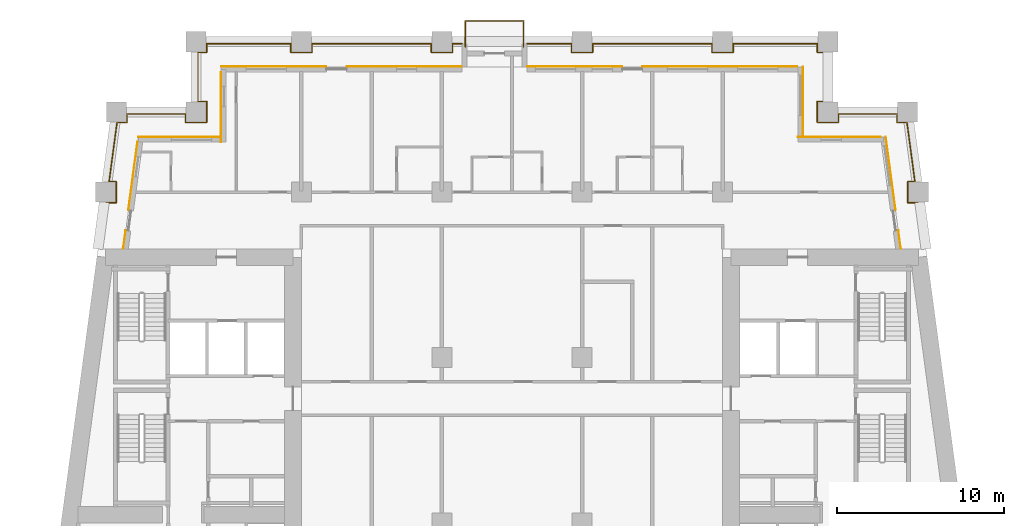
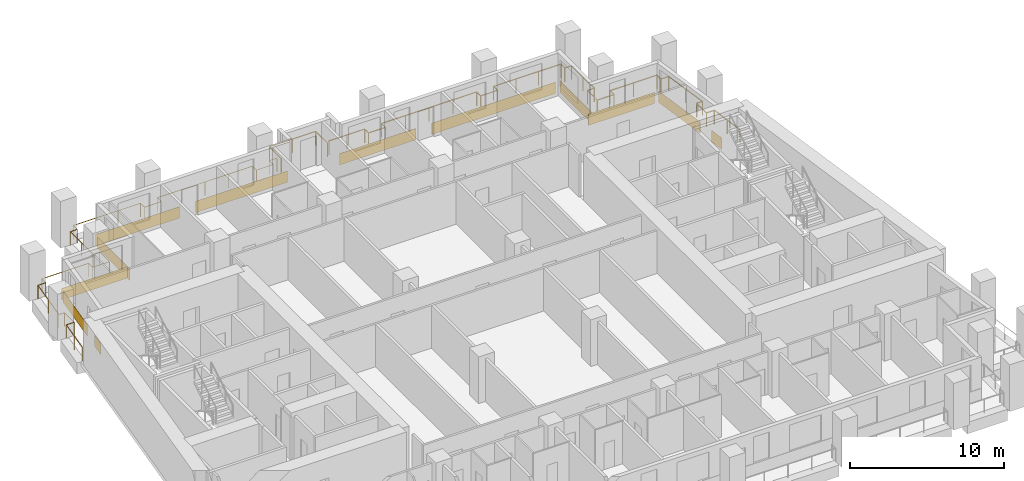
# One storey, part 13 of 14: 12 coverings, 3 railings.
"""IFC4 building model written with IfcOpenShell, lengths in metres."""

from ifc_helpers import new_model, si_unit, direction, frame, origin, origin_2d, place, context, subcontext, project, spatial, rectangle, circle, extrude, material, layer, layer_set, type_object, element, save


model = new_model("IFC4")

# Units and contexts
model_context = context("Model", 3, precision=1e-05, world=origin(), true_north=direction((0.0, 1.0)))
body_context = subcontext(model_context, "Body", "Model", "MODEL_VIEW")
ifc_project = project(units=[si_unit("LENGTHUNIT", "METRE"), si_unit("AREAUNIT", "SQUARE_METRE"), si_unit("VOLUMEUNIT", "CUBIC_METRE"), si_unit("PLANEANGLEUNIT", "RADIAN"), si_unit("MASSUNIT", "GRAM", prefix="KILO")], contexts=[model_context])

# Site, building, storey
site_placement = place(None, origin())
site = spatial("IfcSite", under=ifc_project, at=site_placement, CompositionType="ELEMENT")
building_placement = place(site_placement, origin())
building = spatial("IfcBuilding", under=site, at=building_placement, Name="Candeia Pilgrim Tower and Theatre", CompositionType="ELEMENT")
storey_placement = place(building_placement, frame((0.0, 0.0, 120.60009765625)))
storey = spatial("IfcBuildingStorey", under=building, at=storey_placement, Name="L28", CompositionType="ELEMENT", Elevation=120.60009765625)

# Railings
ifc_material_1 = material(Name="Stainless steel balustrade", Category="steel")
railing_type = type_object("IfcRailingType", Name="G1 loggia guard 1100", PredefinedType="GUARDRAIL", material=ifc_material_1)
railing_1_placement = place(storey_placement, frame((88.758544921875, 132.449951171875, 0.0)))
element("IfcRailing", 1, at=railing_1_placement, inside=storey, type_object=railing_type, Name="Guard L28.2", PredefinedType="GUARDRAIL", context=body_context, shape_type="SweptSolid", body=[
    extrude(circle(Radius=0.02392578125, at=origin_2d()), frame((0.0, 0.0, 1.076171875), z_axis=(0.133433855259, 0.991057720958, 0.0), x_axis=(-0.991057720958, 0.133433855259, 0.0)), (0.0, 0.0, 1.0), 2.74462890625),
    extrude(circle(Radius=0.02392578125, at=origin_2d()), frame((0.3662109375, 2.719970703125, 1.076171875), z_axis=(1.0, 0.0, 0.0), x_axis=(0.0, 1.0, 0.0)), (0.0, 0.0, 1.0), 0.59375),
    extrude(circle(Radius=0.02392578125, at=origin_2d()), frame((0.9599609375, 2.719970703125, 1.076171875), z_axis=(0.0, 1.0, 0.0), x_axis=(-1.0, 0.0, 0.0)), (0.0, 0.0, 1.0), 1.260009765625),
    extrude(circle(Radius=0.02392578125, at=origin_2d()), frame((0.9599609375, 3.97998046875, 1.076171875), z_axis=(-1.0, 0.0, 0.0), x_axis=(0.0, -1.0, 0.0)), (0.0, 0.0, 1.0), 0.424072265625),
    extrude(circle(Radius=0.02392578125, at=origin_2d()), frame((0.535888671875, 3.97998046875, 1.076171875), z_axis=(0.133417176173, 0.991059966451, 0.0), x_axis=(-0.991059966451, 0.133417176173, 0.0)), (0.0, 0.0, 1.0), 3.572021484375),
    extrude(circle(Radius=0.02392578125, at=origin_2d()), frame((1.012451171875, 7.52001953125, 1.076171875), z_axis=(1.0, 0.0, 0.0), x_axis=(0.0, 1.0, 0.0)), (0.0, 0.0, 1.0), 0.593505859375),
    extrude(circle(Radius=0.02392578125, at=origin_2d()), frame((1.60595703125, 7.52001953125, 1.076171875), z_axis=(0.0, 1.0, 0.0), x_axis=(-1.0, 0.0, 0.0)), (0.0, 0.0, 1.0), 0.510009765625),
    extrude(circle(Radius=0.02392578125, at=origin_2d()), frame((1.60595703125, 8.030029296875, 1.076171875), z_axis=(1.0, 0.0, 0.0), x_axis=(0.0, 1.0, 0.0)), (0.0, 0.0, 1.0), 3.505615234375),
    extrude(circle(Radius=0.02392578125, at=origin_2d()), frame((5.111572265625, 8.030029296875, 1.076171875), z_axis=(0.0, -1.0, 0.0), x_axis=(1.0, 0.0, 0.0)), (0.0, 0.0, 1.0), 0.510009765625),
    extrude(circle(Radius=0.02392578125, at=origin_2d()), frame((5.111572265625, 7.52001953125, 1.076171875), z_axis=(1.0, 0.0, 0.0), x_axis=(0.0, 1.0, 0.0)), (0.0, 0.0, 1.0), 1.259765625),
    extrude(circle(Radius=0.02392578125, at=origin_2d()), frame((6.371337890625, 7.52001953125, 1.076171875), z_axis=(0.0, 1.0, 0.0), x_axis=(-1.0, 0.0, 0.0)), (0.0, 0.0, 1.0), 1.260009765625),
    extrude(circle(Radius=0.02392578125, at=origin_2d()), frame((6.371337890625, 8.780029296875, 1.076171875), z_axis=(-1.0, 0.0, 0.0), x_axis=(0.0, -1.0, 0.0)), (0.0, 0.0, 1.0), 0.509765625),
    extrude(circle(Radius=0.02392578125, at=origin_2d()), frame((5.861572265625, 8.780029296875, 1.076171875), z_axis=(0.0, 1.0, 0.0), x_axis=(-1.0, 0.0, 0.0)), (0.0, 0.0, 1.0), 2.93994140625),
    extrude(circle(Radius=0.02392578125, at=origin_2d()), frame((5.861572265625, 11.719970703125, 1.076171875), z_axis=(1.0, 0.0, 0.0), x_axis=(0.0, 1.0, 0.0)), (0.0, 0.0, 1.0), 0.509765625),
    extrude(circle(Radius=0.02392578125, at=origin_2d()), frame((6.371337890625, 11.719970703125, 1.076171875), z_axis=(0.0, 1.0, 0.0), x_axis=(-1.0, 0.0, 0.0)), (0.0, 0.0, 1.0), 0.510009765625),
    extrude(circle(Radius=0.02392578125, at=origin_2d()), frame((6.371337890625, 12.22998046875, 1.076171875), z_axis=(1.0, 0.0, 0.0), x_axis=(0.0, 1.0, 0.0)), (0.0, 0.0, 1.0), 5.0400390625),
    extrude(circle(Radius=0.02392578125, at=origin_2d()), frame((11.411376953125, 12.22998046875, 1.076171875), z_axis=(0.0, -1.0, 0.0), x_axis=(1.0, 0.0, 0.0)), (0.0, 0.0, 1.0), 0.510009765625),
    extrude(circle(Radius=0.02392578125, at=origin_2d()), frame((11.411376953125, 11.719970703125, 1.076171875), z_axis=(1.0, 0.0, 0.0), x_axis=(0.0, 1.0, 0.0)), (0.0, 0.0, 1.0), 1.260009765625),
    extrude(circle(Radius=0.02392578125, at=origin_2d()), frame((12.67138671875, 11.719970703125, 1.076171875), z_axis=(0.0, 1.0, 0.0), x_axis=(-1.0, 0.0, 0.0)), (0.0, 0.0, 1.0), 0.510009765625),
    extrude(circle(Radius=0.02392578125, at=origin_2d()), frame((12.67138671875, 12.22998046875, 1.076171875), z_axis=(1.0, 0.0, 0.0), x_axis=(0.0, 1.0, 0.0)), (0.0, 0.0, 1.0), 7.14013671875),
    extrude(circle(Radius=0.02392578125, at=origin_2d()), frame((19.8115234375, 12.22998046875, 1.076171875), z_axis=(0.0, -1.0, 0.0), x_axis=(1.0, 0.0, 0.0)), (0.0, 0.0, 1.0), 0.510009765625),
    extrude(circle(Radius=0.02392578125, at=origin_2d()), frame((19.8115234375, 11.719970703125, 1.076171875), z_axis=(1.0, 0.0, 0.0), x_axis=(0.0, 1.0, 0.0)), (0.0, 0.0, 1.0), 1.260009765625),
    extrude(circle(Radius=0.02392578125, at=origin_2d()), frame((21.071533203125, 11.719970703125, 1.076171875), z_axis=(0.0, 1.0, 0.0), x_axis=(-1.0, 0.0, 0.0)), (0.0, 0.0, 1.0), 0.510009765625),
    extrude(circle(Radius=0.02392578125, at=origin_2d()), frame((21.071533203125, 12.22998046875, 1.076171875), z_axis=(1.0, 0.0, 0.0), x_axis=(0.0, 1.0, 0.0)), (0.0, 0.0, 1.0), 0.56982421875),
    extrude(circle(Radius=0.02099609375, at=origin_2d()), origin(), (0.0, 0.0, 1.0), 1.052001953125),
    extrude(circle(Radius=0.02099609375, at=origin_2d()), frame((0.18310546875, 1.35986328125, 0.0)), (0.0, 0.0, 1.0), 1.052001953125),
    extrude(circle(Radius=0.02099609375, at=origin_2d()), frame((0.3662109375, 2.719970703125, 0.0)), (0.0, 0.0, 1.0), 1.052001953125),
    extrude(circle(Radius=0.02099609375, at=origin_2d()), frame((0.9599609375, 2.719970703125, 0.0)), (0.0, 0.0, 1.0), 1.052001953125),
    extrude(circle(Radius=0.02099609375, at=origin_2d()), frame((0.9599609375, 3.97998046875, 0.0)), (0.0, 0.0, 1.0), 1.052001953125),
    extrude(circle(Radius=0.02099609375, at=origin_2d()), frame((0.535888671875, 3.97998046875, 0.0)), (0.0, 0.0, 1.0), 1.052001953125),
    extrude(circle(Radius=0.02099609375, at=origin_2d()), frame((0.774169921875, 5.75, 0.0)), (0.0, 0.0, 1.0), 1.052001953125),
    extrude(circle(Radius=0.02099609375, at=origin_2d()), frame((1.012451171875, 7.52001953125, 0.0)), (0.0, 0.0, 1.0), 1.052001953125),
    extrude(circle(Radius=0.02099609375, at=origin_2d()), frame((1.60595703125, 7.52001953125, 0.0)), (0.0, 0.0, 1.0), 1.052001953125),
    extrude(circle(Radius=0.02099609375, at=origin_2d()), frame((1.60595703125, 8.030029296875, 0.0)), (0.0, 0.0, 1.0), 1.052001953125),
    extrude(circle(Radius=0.02099609375, at=origin_2d()), frame((3.35888671875, 8.030029296875, 0.0)), (0.0, 0.0, 1.0), 1.052001953125),
    extrude(circle(Radius=0.02099609375, at=origin_2d()), frame((5.111572265625, 8.030029296875, 0.0)), (0.0, 0.0, 1.0), 1.052001953125),
    extrude(circle(Radius=0.02099609375, at=origin_2d()), frame((5.111572265625, 7.52001953125, 0.0)), (0.0, 0.0, 1.0), 1.052001953125),
    extrude(circle(Radius=0.02099609375, at=origin_2d()), frame((6.371337890625, 7.52001953125, 0.0)), (0.0, 0.0, 1.0), 1.052001953125),
    extrude(circle(Radius=0.02099609375, at=origin_2d()), frame((6.371337890625, 8.780029296875, 0.0)), (0.0, 0.0, 1.0), 1.052001953125),
    extrude(circle(Radius=0.02099609375, at=origin_2d()), frame((5.861572265625, 8.780029296875, 0.0)), (0.0, 0.0, 1.0), 1.052001953125),
    extrude(circle(Radius=0.02099609375, at=origin_2d()), frame((5.861572265625, 10.25, 0.0)), (0.0, 0.0, 1.0), 1.052001953125),
    extrude(circle(Radius=0.02099609375, at=origin_2d()), frame((5.861572265625, 11.719970703125, 0.0)), (0.0, 0.0, 1.0), 1.052001953125),
    extrude(circle(Radius=0.02099609375, at=origin_2d()), frame((6.371337890625, 11.719970703125, 0.0)), (0.0, 0.0, 1.0), 1.052001953125),
    extrude(circle(Radius=0.02099609375, at=origin_2d()), frame((6.371337890625, 12.22998046875, 0.0)), (0.0, 0.0, 1.0), 1.052001953125),
    extrude(circle(Radius=0.02099609375, at=origin_2d()), frame((8.05126953125, 12.22998046875, 0.0)), (0.0, 0.0, 1.0), 1.052001953125),
    extrude(circle(Radius=0.02099609375, at=origin_2d()), frame((9.7314453125, 12.22998046875, 0.0)), (0.0, 0.0, 1.0), 1.052001953125),
    extrude(circle(Radius=0.02099609375, at=origin_2d()), frame((11.411376953125, 12.22998046875, 0.0)), (0.0, 0.0, 1.0), 1.052001953125),
    extrude(circle(Radius=0.02099609375, at=origin_2d()), frame((11.411376953125, 11.719970703125, 0.0)), (0.0, 0.0, 1.0), 1.052001953125),
    extrude(circle(Radius=0.02099609375, at=origin_2d()), frame((12.67138671875, 11.719970703125, 0.0)), (0.0, 0.0, 1.0), 1.052001953125),
    extrude(circle(Radius=0.02099609375, at=origin_2d()), frame((12.67138671875, 12.22998046875, 0.0)), (0.0, 0.0, 1.0), 1.052001953125),
    extrude(circle(Radius=0.02099609375, at=origin_2d()), frame((14.45654296875, 12.22998046875, 0.0)), (0.0, 0.0, 1.0), 1.052001953125),
    extrude(circle(Radius=0.02099609375, at=origin_2d()), frame((16.241455078125, 12.22998046875, 0.0)), (0.0, 0.0, 1.0), 1.052001953125),
    extrude(circle(Radius=0.02099609375, at=origin_2d()), frame((18.0263671875, 12.22998046875, 0.0)), (0.0, 0.0, 1.0), 1.052001953125),
    extrude(circle(Radius=0.02099609375, at=origin_2d()), frame((19.8115234375, 12.22998046875, 0.0)), (0.0, 0.0, 1.0), 1.052001953125),
    extrude(circle(Radius=0.02099609375, at=origin_2d()), frame((19.8115234375, 11.719970703125, 0.0)), (0.0, 0.0, 1.0), 1.052001953125),
    extrude(circle(Radius=0.02099609375, at=origin_2d()), frame((21.071533203125, 11.719970703125, 0.0)), (0.0, 0.0, 1.0), 1.052001953125),
    extrude(circle(Radius=0.02099609375, at=origin_2d()), frame((21.071533203125, 12.22998046875, 0.0)), (0.0, 0.0, 1.0), 1.052001953125),
    extrude(circle(Radius=0.02099609375, at=origin_2d()), frame((21.641357421875, 12.22998046875, 0.0)), (0.0, 0.0, 1.0), 1.052001953125),
])
railing_2_placement = place(storey_placement, frame((114.300048828125, 144.679931640625, 0.0)))
element("IfcRailing", 2, at=railing_2_placement, inside=storey, type_object=railing_type, Name="Guard L28.3", PredefinedType="GUARDRAIL", context=body_context, shape_type="SweptSolid", body=[
    extrude(circle(Radius=0.02392578125, at=origin_2d()), frame((0.0, 0.0, 1.076171875), z_axis=(1.0, 0.0, 0.0), x_axis=(0.0, 1.0, 0.0)), (0.0, 0.0, 1.0), 2.669921875),
    extrude(circle(Radius=0.02392578125, at=origin_2d()), frame((2.669921875, 0.0, 1.076171875), z_axis=(0.0, -1.0, 0.0), x_axis=(1.0, 0.0, 0.0)), (0.0, 0.0, 1.0), 0.510009765625),
    extrude(circle(Radius=0.02392578125, at=origin_2d()), frame((2.669921875, -0.510009765625, 1.076171875), z_axis=(1.0, 0.0, 0.0), x_axis=(0.0, 1.0, 0.0)), (0.0, 0.0, 1.0), 1.260009765625),
    extrude(circle(Radius=0.02392578125, at=origin_2d()), frame((3.929931640625, -0.510009765625, 1.076171875), z_axis=(0.0, 1.0, 0.0), x_axis=(-1.0, 0.0, 0.0)), (0.0, 0.0, 1.0), 0.510009765625),
    extrude(circle(Radius=0.02392578125, at=origin_2d()), frame((3.929931640625, 0.0, 1.076171875), z_axis=(1.0, 0.0, 0.0), x_axis=(0.0, 1.0, 0.0)), (0.0, 0.0, 1.0), 7.14013671875),
    extrude(circle(Radius=0.02392578125, at=origin_2d()), frame((11.070068359375, 0.0, 1.076171875), z_axis=(0.0, -1.0, 0.0), x_axis=(1.0, 0.0, 0.0)), (0.0, 0.0, 1.0), 0.510009765625),
    extrude(circle(Radius=0.02392578125, at=origin_2d()), frame((11.070068359375, -0.510009765625, 1.076171875), z_axis=(1.0, 0.0, 0.0), x_axis=(0.0, 1.0, 0.0)), (0.0, 0.0, 1.0), 1.259765625),
    extrude(circle(Radius=0.02392578125, at=origin_2d()), frame((12.329833984375, -0.510009765625, 1.076171875), z_axis=(0.0, 1.0, 0.0), x_axis=(-1.0, 0.0, 0.0)), (0.0, 0.0, 1.0), 0.510009765625),
    extrude(circle(Radius=0.02392578125, at=origin_2d()), frame((12.329833984375, 0.0, 1.076171875), z_axis=(1.0, 0.0, 0.0), x_axis=(0.0, 1.0, 0.0)), (0.0, 0.0, 1.0), 5.0400390625),
    extrude(circle(Radius=0.02392578125, at=origin_2d()), frame((17.369873046875, 0.0, 1.076171875), z_axis=(0.0, -1.0, 0.0), x_axis=(1.0, 0.0, 0.0)), (0.0, 0.0, 1.0), 0.510009765625),
    extrude(circle(Radius=0.02392578125, at=origin_2d()), frame((17.369873046875, -0.510009765625, 1.076171875), z_axis=(1.0, 0.0, 0.0), x_axis=(0.0, 1.0, 0.0)), (0.0, 0.0, 1.0), 0.510009765625),
    extrude(circle(Radius=0.02392578125, at=origin_2d()), frame((17.8798828125, -0.510009765625, 1.076171875), z_axis=(0.0, -1.0, 0.0), x_axis=(1.0, 0.0, 0.0)), (0.0, 0.0, 1.0), 2.93994140625),
    extrude(circle(Radius=0.02392578125, at=origin_2d()), frame((17.8798828125, -3.449951171875, 1.076171875), z_axis=(-1.0, 0.0, 0.0), x_axis=(0.0, -1.0, 0.0)), (0.0, 0.0, 1.0), 0.510009765625),
    extrude(circle(Radius=0.02392578125, at=origin_2d()), frame((17.369873046875, -3.449951171875, 1.076171875), z_axis=(0.0, -1.0, 0.0), x_axis=(1.0, 0.0, 0.0)), (0.0, 0.0, 1.0), 1.260009765625),
    extrude(circle(Radius=0.02392578125, at=origin_2d()), frame((17.369873046875, -4.7099609375, 1.076171875), z_axis=(1.0, 0.0, 0.0), x_axis=(0.0, 1.0, 0.0)), (0.0, 0.0, 1.0), 1.260009765625),
    extrude(circle(Radius=0.02392578125, at=origin_2d()), frame((18.6298828125, -4.7099609375, 1.076171875), z_axis=(0.0, 1.0, 0.0), x_axis=(-1.0, 0.0, 0.0)), (0.0, 0.0, 1.0), 0.510009765625),
    extrude(circle(Radius=0.02392578125, at=origin_2d()), frame((18.6298828125, -4.199951171875, 1.076171875), z_axis=(1.0, 0.0, 0.0), x_axis=(0.0, 1.0, 0.0)), (0.0, 0.0, 1.0), 3.50537109375),
    extrude(circle(Radius=0.02392578125, at=origin_2d()), frame((22.13525390625, -4.199951171875, 1.076171875), z_axis=(0.0, -1.0, 0.0), x_axis=(1.0, 0.0, 0.0)), (0.0, 0.0, 1.0), 0.510009765625),
    extrude(circle(Radius=0.02392578125, at=origin_2d()), frame((22.13525390625, -4.7099609375, 1.076171875), z_axis=(1.0, 0.0, 0.0), x_axis=(0.0, 1.0, 0.0)), (0.0, 0.0, 1.0), 0.59375),
    extrude(circle(Radius=0.02392578125, at=origin_2d()), frame((22.72900390625, -4.7099609375, 1.076171875), z_axis=(0.133417176173, -0.991059966451, 0.0), x_axis=(0.991059966451, 0.133417176173, 0.0)), (0.0, 0.0, 1.0), 3.572021484375),
    extrude(circle(Radius=0.02392578125, at=origin_2d()), frame((23.20556640625, -8.25, 1.076171875), z_axis=(-1.0, 0.0, 0.0), x_axis=(0.0, -1.0, 0.0)), (0.0, 0.0, 1.0), 0.424072265625),
    extrude(circle(Radius=0.02392578125, at=origin_2d()), frame((22.781494140625, -8.25, 1.076171875), z_axis=(0.0, -1.0, 0.0), x_axis=(1.0, 0.0, 0.0)), (0.0, 0.0, 1.0), 1.260009765625),
    extrude(circle(Radius=0.02392578125, at=origin_2d()), frame((22.781494140625, -9.510009765625, 1.076171875), z_axis=(1.0, 0.0, 0.0), x_axis=(0.0, 1.0, 0.0)), (0.0, 0.0, 1.0), 0.59375),
    extrude(circle(Radius=0.02392578125, at=origin_2d()), frame((23.375244140625, -9.510009765625, 1.076171875), z_axis=(0.133433855259, -0.991057720958, 0.0), x_axis=(0.991057720958, 0.133433855259, 0.0)), (0.0, 0.0, 1.0), 2.74462890625),
    extrude(circle(Radius=0.02099609375, at=origin_2d()), origin(), (0.0, 0.0, 1.0), 1.052001953125),
    extrude(circle(Radius=0.02099609375, at=origin_2d()), frame((1.3349609375, 0.0, 0.0)), (0.0, 0.0, 1.0), 1.052001953125),
    extrude(circle(Radius=0.02099609375, at=origin_2d()), frame((2.669921875, 0.0, 0.0)), (0.0, 0.0, 1.0), 1.052001953125),
    extrude(circle(Radius=0.02099609375, at=origin_2d()), frame((2.669921875, -0.510009765625, 0.0)), (0.0, 0.0, 1.0), 1.052001953125),
    extrude(circle(Radius=0.02099609375, at=origin_2d()), frame((3.929931640625, -0.510009765625, 0.0)), (0.0, 0.0, 1.0), 1.052001953125),
    extrude(circle(Radius=0.02099609375, at=origin_2d()), frame((3.929931640625, 0.0, 0.0)), (0.0, 0.0, 1.0), 1.052001953125),
    extrude(circle(Radius=0.02099609375, at=origin_2d()), frame((5.71484375, 0.0, 0.0)), (0.0, 0.0, 1.0), 1.052001953125),
    extrude(circle(Radius=0.02099609375, at=origin_2d()), frame((7.5, 0.0, 0.0)), (0.0, 0.0, 1.0), 1.052001953125),
    extrude(circle(Radius=0.02099609375, at=origin_2d()), frame((9.28515625, 0.0, 0.0)), (0.0, 0.0, 1.0), 1.052001953125),
    extrude(circle(Radius=0.02099609375, at=origin_2d()), frame((11.070068359375, 0.0, 0.0)), (0.0, 0.0, 1.0), 1.052001953125),
    extrude(circle(Radius=0.02099609375, at=origin_2d()), frame((11.070068359375, -0.510009765625, 0.0)), (0.0, 0.0, 1.0), 1.052001953125),
    extrude(circle(Radius=0.02099609375, at=origin_2d()), frame((12.329833984375, -0.510009765625, 0.0)), (0.0, 0.0, 1.0), 1.052001953125),
    extrude(circle(Radius=0.02099609375, at=origin_2d()), frame((12.329833984375, 0.0, 0.0)), (0.0, 0.0, 1.0), 1.052001953125),
    extrude(circle(Radius=0.02099609375, at=origin_2d()), frame((14.009765625, 0.0, 0.0)), (0.0, 0.0, 1.0), 1.052001953125),
    extrude(circle(Radius=0.02099609375, at=origin_2d()), frame((15.68994140625, 0.0, 0.0)), (0.0, 0.0, 1.0), 1.052001953125),
    extrude(circle(Radius=0.02099609375, at=origin_2d()), frame((17.369873046875, 0.0, 0.0)), (0.0, 0.0, 1.0), 1.052001953125),
    extrude(circle(Radius=0.02099609375, at=origin_2d()), frame((17.369873046875, -0.510009765625, 0.0)), (0.0, 0.0, 1.0), 1.052001953125),
    extrude(circle(Radius=0.02099609375, at=origin_2d()), frame((17.8798828125, -0.510009765625, 0.0)), (0.0, 0.0, 1.0), 1.052001953125),
    extrude(circle(Radius=0.02099609375, at=origin_2d()), frame((17.8798828125, -1.97998046875, 0.0)), (0.0, 0.0, 1.0), 1.052001953125),
    extrude(circle(Radius=0.02099609375, at=origin_2d()), frame((17.8798828125, -3.449951171875, 0.0)), (0.0, 0.0, 1.0), 1.052001953125),
    extrude(circle(Radius=0.02099609375, at=origin_2d()), frame((17.369873046875, -3.449951171875, 0.0)), (0.0, 0.0, 1.0), 1.052001953125),
    extrude(circle(Radius=0.02099609375, at=origin_2d()), frame((17.369873046875, -4.7099609375, 0.0)), (0.0, 0.0, 1.0), 1.052001953125),
    extrude(circle(Radius=0.02099609375, at=origin_2d()), frame((18.6298828125, -4.7099609375, 0.0)), (0.0, 0.0, 1.0), 1.052001953125),
    extrude(circle(Radius=0.02099609375, at=origin_2d()), frame((18.6298828125, -4.199951171875, 0.0)), (0.0, 0.0, 1.0), 1.052001953125),
    extrude(circle(Radius=0.02099609375, at=origin_2d()), frame((20.382568359375, -4.199951171875, 0.0)), (0.0, 0.0, 1.0), 1.052001953125),
    extrude(circle(Radius=0.02099609375, at=origin_2d()), frame((22.13525390625, -4.199951171875, 0.0)), (0.0, 0.0, 1.0), 1.052001953125),
    extrude(circle(Radius=0.02099609375, at=origin_2d()), frame((22.13525390625, -4.7099609375, 0.0)), (0.0, 0.0, 1.0), 1.052001953125),
    extrude(circle(Radius=0.02099609375, at=origin_2d()), frame((22.72900390625, -4.7099609375, 0.0)), (0.0, 0.0, 1.0), 1.052001953125),
    extrude(circle(Radius=0.02099609375, at=origin_2d()), frame((22.96728515625, -6.47998046875, 0.0)), (0.0, 0.0, 1.0), 1.052001953125),
    extrude(circle(Radius=0.02099609375, at=origin_2d()), frame((23.20556640625, -8.25, 0.0)), (0.0, 0.0, 1.0), 1.052001953125),
    extrude(circle(Radius=0.02099609375, at=origin_2d()), frame((22.781494140625, -8.25, 0.0)), (0.0, 0.0, 1.0), 1.052001953125),
    extrude(circle(Radius=0.02099609375, at=origin_2d()), frame((22.781494140625, -9.510009765625, 0.0)), (0.0, 0.0, 1.0), 1.052001953125),
    extrude(circle(Radius=0.02099609375, at=origin_2d()), frame((23.375244140625, -9.510009765625, 0.0)), (0.0, 0.0, 1.0), 1.052001953125),
    extrude(circle(Radius=0.02099609375, at=origin_2d()), frame((23.558349609375, -10.8701171875, 0.0)), (0.0, 0.0, 1.0), 1.052001953125),
    extrude(circle(Radius=0.02099609375, at=origin_2d()), frame((23.741455078125, -12.22998046875, 0.0)), (0.0, 0.0, 1.0), 1.052001953125),
])
railing_3_placement = place(storey_placement, frame((110.610107421875, 144.5, 0.0)))
element("IfcRailing", 3, at=railing_3_placement, inside=storey, type_object=railing_type, Name="Balcony guard L28", PredefinedType="GUARDRAIL", context=body_context, shape_type="SweptSolid", body=[
    extrude(circle(Radius=0.02392578125, at=origin_2d()), frame((0.0, 0.0, 1.076171875), z_axis=(0.0, 1.0, 0.0), x_axis=(-1.0, 0.0, 0.0)), (0.0, 0.0, 1.0), 1.5400390625),
    extrude(circle(Radius=0.02392578125, at=origin_2d()), frame((0.0, 1.5400390625, 1.076171875), z_axis=(1.0, 0.0, 0.0), x_axis=(0.0, 1.0, 0.0)), (0.0, 0.0, 1.0), 3.47998046875),
    extrude(circle(Radius=0.02392578125, at=origin_2d()), frame((3.47998046875, 1.5400390625, 1.076171875), z_axis=(0.0, -1.0, 0.0), x_axis=(1.0, 0.0, 0.0)), (0.0, 0.0, 1.0), 1.5400390625),
    extrude(circle(Radius=0.02099609375, at=origin_2d()), origin(), (0.0, 0.0, 1.0), 1.052001953125),
    extrude(circle(Radius=0.02099609375, at=origin_2d()), frame((0.0, 1.5400390625, 0.0)), (0.0, 0.0, 1.0), 1.052001953125),
    extrude(circle(Radius=0.02099609375, at=origin_2d()), frame((1.739990234375, 1.5400390625, 0.0)), (0.0, 0.0, 1.0), 1.052001953125),
    extrude(circle(Radius=0.02099609375, at=origin_2d()), frame((3.47998046875, 1.5400390625, 0.0)), (0.0, 0.0, 1.0), 1.052001953125),
    extrude(circle(Radius=0.02099609375, at=origin_2d()), frame((3.47998046875, 0.0, 0.0)), (0.0, 0.0, 1.0), 1.052001953125),
])

# Coverings
ifc_material_2 = material(Name="Glazed ceramic tile red")
ifc_layer = layer(ifc_material_2, 0.02001953125)
ifc_layer_set = layer_set([ifc_layer], Name="Glazed ceramic tile red")
covering_type = type_object("IfcCoveringType", Name="Glazed ceramic tile red", PredefinedType="CLADDING", material=ifc_layer_set)
covering_1_placement = place(storey_placement, frame((136.588623046875, 132.97412109375, 0.0), z_axis=(0.0, 0.0, 1.0), x_axis=(-0.133412012145, 0.991060661622, 0.0)))
element("IfcCovering", 4, at=covering_1_placement, inside=storey, type_object=covering_type, Name="Tile cladding red L28", PredefinedType="CLADDING", context=body_context, shape_type="SweptSolid", body=[
    extrude(rectangle(XDim=1.115234375, YDim=0.02001953125, at=origin_2d()), origin(), (0.0, 0.0, 1.0), 0.89990234375),
])
covering_2_placement = place(storey_placement, frame((136.058837890625, 136.90869140625, 0.0), z_axis=(0.0, 0.0, 1.0), x_axis=(-0.133412012145, 0.991060661622, 0.0)))
element("IfcCovering", 5, at=covering_2_placement, inside=storey, type_object=covering_type, Name="Tile cladding red L28", PredefinedType="CLADDING", context=body_context, shape_type="SweptSolid", body=[
    extrude(rectangle(XDim=4.4248046875, YDim=0.02001953125, at=origin_2d()), origin(), (0.0, 0.0, 1.0), 0.89990234375),
])
covering_3_placement = place(storey_placement, frame((132.976318359375, 139.110107421875, 0.0), z_axis=(0.0, 0.0, 1.0), x_axis=(-1.0, 0.0, 0.0)))
element("IfcCovering", 6, at=covering_3_placement, inside=storey, type_object=covering_type, Name="Tile cladding red L28", PredefinedType="CLADDING", context=body_context, shape_type="SweptSolid", body=[
    extrude(rectangle(XDim=4.95263671875, YDim=0.02001953125, at=origin_2d()), origin(), (0.0, 0.0, 1.0), 0.89990234375),
])
covering_4_placement = place(storey_placement, frame((130.81005859375, 141.2099609375, 0.0), z_axis=(0.0, 0.0, 1.0), x_axis=(0.0, 1.0, 0.0)))
element("IfcCovering", 7, at=covering_4_placement, inside=storey, type_object=covering_type, Name="Tile cladding red L28", PredefinedType="CLADDING", context=body_context, shape_type="SweptSolid", body=[
    extrude(rectangle(XDim=4.179931640625, YDim=0.02001953125, at=origin_2d()), origin(), (0.0, 0.0, 1.0), 0.89990234375),
])
covering_5_placement = place(storey_placement, frame((125.840087890625, 143.31005859375, 0.0), z_axis=(0.0, 0.0, 1.0), x_axis=(-1.0, 0.0, 0.0)))
element("IfcCovering", 8, at=covering_5_placement, inside=storey, type_object=covering_type, Name="Tile cladding red L28", PredefinedType="CLADDING", context=body_context, shape_type="SweptSolid", body=[
    extrude(rectangle(XDim=9.280029296875, YDim=0.02001953125, at=origin_2d()), origin(), (0.0, 0.0, 1.0), 0.89990234375),
])
covering_6_placement = place(storey_placement, frame((117.14990234375, 143.31005859375, 0.0), z_axis=(0.0, 0.0, 1.0), x_axis=(-1.0, 0.0, 0.0)))
element("IfcCovering", 9, at=covering_6_placement, inside=storey, type_object=covering_type, Name="Tile cladding red L28", PredefinedType="CLADDING", context=body_context, shape_type="SweptSolid", body=[
    extrude(rectangle(XDim=5.699951171875, YDim=0.02001953125, at=origin_2d()), origin(), (0.0, 0.0, 1.0), 0.89990234375),
])
covering_7_placement = place(storey_placement, frame((106.949951171875, 143.31005859375, 0.0), z_axis=(0.0, 0.0, 1.0), x_axis=(-1.0, 0.0, 0.0)))
element("IfcCovering", 10, at=covering_7_placement, inside=storey, type_object=covering_type, Name="Tile cladding red L28", PredefinedType="CLADDING", context=body_context, shape_type="SweptSolid", body=[
    extrude(rectangle(XDim=6.89990234375, YDim=0.02001953125, at=origin_2d()), origin(), (0.0, 0.0, 1.0), 0.89990234375),
])
covering_8_placement = place(storey_placement, frame((99.14990234375, 143.31005859375, 0.0), z_axis=(0.0, 0.0, 1.0), x_axis=(-1.0, 0.0, 0.0)))
element("IfcCovering", 11, at=covering_8_placement, inside=storey, type_object=covering_type, Name="Tile cladding red L28", PredefinedType="CLADDING", context=body_context, shape_type="SweptSolid", body=[
    extrude(rectangle(XDim=6.300048828125, YDim=0.02001953125, at=origin_2d()), origin(), (0.0, 0.0, 1.0), 0.89990234375),
])
covering_9_placement = place(storey_placement, frame((95.989990234375, 140.889892578125, 0.0), z_axis=(0.0, 0.0, 1.0), x_axis=(0.0, -1.0, 0.0)))
element("IfcCovering", 12, at=covering_9_placement, inside=storey, type_object=covering_type, Name="Tile cladding red L28", PredefinedType="CLADDING", context=body_context, shape_type="SweptSolid", body=[
    extrude(rectangle(XDim=4.179931640625, YDim=0.02001953125, at=origin_2d()), origin(), (0.0, 0.0, 1.0), 0.89990234375),
])
covering_10_placement = place(storey_placement, frame((93.51318359375, 139.110107421875, 0.0), z_axis=(0.0, 0.0, 1.0), x_axis=(-1.0, 0.0, 0.0)))
element("IfcCovering", 13, at=covering_10_placement, inside=storey, type_object=covering_type, Name="Tile cladding red L28", PredefinedType="CLADDING", context=body_context, shape_type="SweptSolid", body=[
    extrude(rectangle(XDim=4.933837890625, YDim=0.02001953125, at=origin_2d()), origin(), (0.0, 0.0, 1.0), 0.89990234375),
])
covering_11_placement = place(storey_placement, frame((90.720947265625, 136.759521484375, 0.0), z_axis=(0.0, 0.0, 1.0), x_axis=(-0.133412012145, -0.991060661622, 0.0)))
element("IfcCovering", 14, at=covering_11_placement, inside=storey, type_object=covering_type, Name="Tile cladding red L28", PredefinedType="CLADDING", context=body_context, shape_type="SweptSolid", body=[
    extrude(rectangle(XDim=4.123779296875, YDim=0.02001953125, at=origin_2d()), origin(), (0.0, 0.0, 1.0), 0.89990234375),
])
covering_12_placement = place(storey_placement, frame((90.21142578125, 132.97412109375, 0.0), z_axis=(0.0, 0.0, 1.0), x_axis=(-0.133412012145, -0.991060661622, 0.0)))
element("IfcCovering", 15, at=covering_12_placement, inside=storey, type_object=covering_type, Name="Tile cladding red L28", PredefinedType="CLADDING", context=body_context, shape_type="SweptSolid", body=[
    extrude(rectangle(XDim=1.115234375, YDim=0.02001953125, at=origin_2d()), origin(), (0.0, 0.0, 1.0), 0.89990234375),
])

save(model, "model.ifc")
